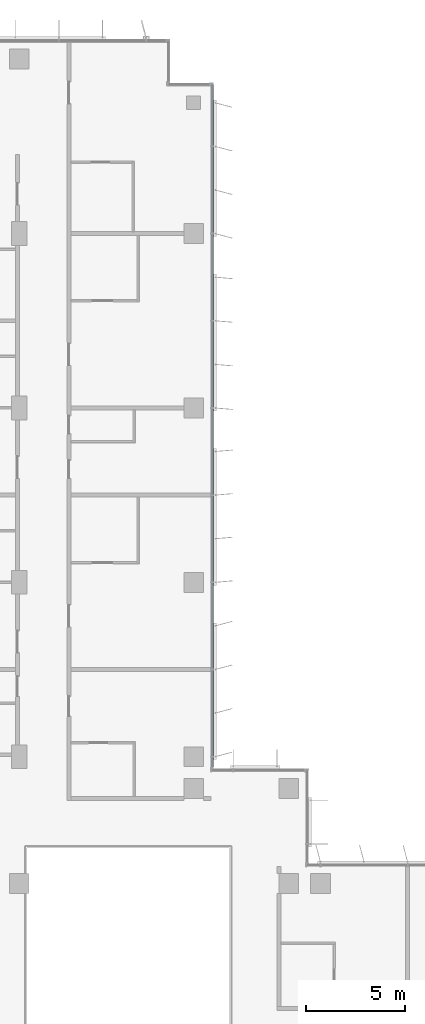
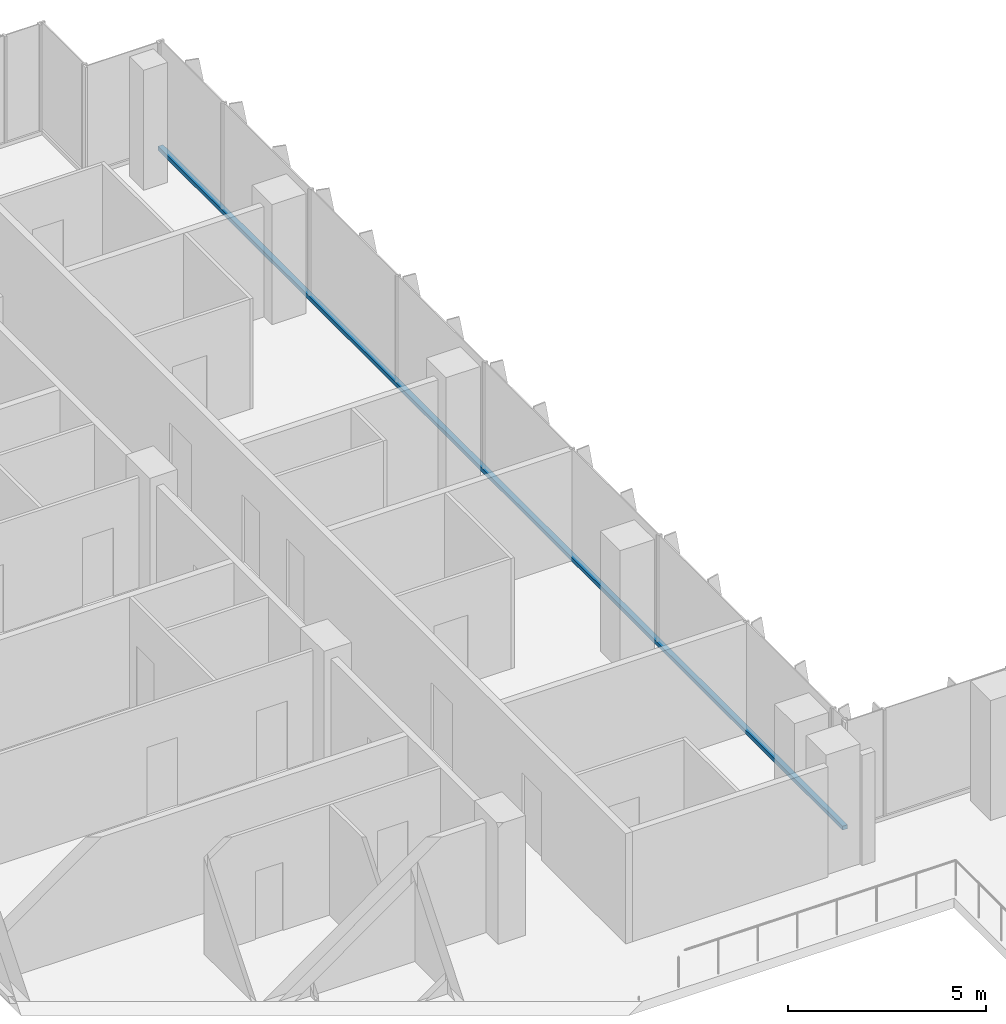
# One storey, part 6 of 21: 1 member, 1 element without a shape of its own.
"""IFC4 building model written with IfcOpenShell, lengths in metres."""

from ifc_helpers import new_model, si_unit, direction, frame, origin, origin_2d, place, context, subcontext, project, spatial, rectangle, extrude, material, material_profile, profile_set, type_object, element, aggregate, save


model = new_model("IFC4")

# Units and contexts
model_context = context("Model", 3, precision=1e-05, world=origin(), true_north=direction((0.0, 1.0)))
body_context = subcontext(model_context, "Body", "Model", "MODEL_VIEW")
ifc_project = project(units=[si_unit("LENGTHUNIT", "METRE"), si_unit("AREAUNIT", "SQUARE_METRE"), si_unit("VOLUMEUNIT", "CUBIC_METRE"), si_unit("PLANEANGLEUNIT", "RADIAN"), si_unit("MASSUNIT", "GRAM", prefix="KILO")], contexts=[model_context])

# Site, building, storey
site_placement = place(None, origin())
site = spatial("IfcSite", under=ifc_project, at=site_placement, CompositionType="ELEMENT")
building_placement = place(site_placement, origin())
building = spatial("IfcBuilding", under=site, at=building_placement, Name="Kemantara Hotel Tower", CompositionType="ELEMENT")
storey_placement = place(building_placement, frame((0.0, 0.0, 208.0)))
storey = spatial("IfcBuildingStorey", under=building, at=storey_placement, Name="L51", CompositionType="ELEMENT", Elevation=208.0)

# Curtain wall, member
ifc_material_1 = material(Name="Low-E tinted double insulated glass 36 mm", Category="glass")
curtain_wall_type = type_object("IfcCurtainWallType", Name="TOWER CURTAIN WALL, FRONT FACES", PredefinedType="USERDEFINED", material=ifc_material_1)
curtain_wall_placement = place(storey_placement, origin())
curtain_wall = element("IfcCurtainWall", 1, at=curtain_wall_placement, inside=storey, type_object=curtain_wall_type, Name="CW4 L51 T3-R17-1", ObjectType="TOWER CURTAIN WALL, FRONT FACES", PredefinedType="USERDEFINED")
ifc_material_2 = material(Name="Aluminium 6063-T6 bronze anodised", Category="aluminium")
ifc_material_profile = material_profile(ifc_material_2, rectangle(XDim=0.14990234375, YDim=0.1201171875, at=origin_2d()), Name="TOWER CURTAIN WALL, FRONT FACES TRANSOM")
ifc_profile_set = profile_set([ifc_material_profile], Name="Aluminium 6063-T6 bronze anodised")
member_type = type_object("IfcMemberType", Name="TOWER CURTAIN WALL, FRONT FACES TRANSOM", PredefinedType="USERDEFINED", material=ifc_profile_set)
member_placement = place(storey_placement, frame((21.925048828125, 26.800048828125, 0.06005859375), z_axis=(0.0, 1.0, 0.0), x_axis=(-1.0, 0.0, 0.0)))
member = element("IfcMember", 2, at=member_placement, type_object=member_type, Name="CW4 sill transom T3-R17-1", ObjectType="TRANSOM", PredefinedType="USERDEFINED", context=body_context, shape_type="SweptSolid", body=[
    extrude(rectangle(XDim=0.14990234375, YDim=0.1201171875, at=origin_2d()), origin(), (0.0, 0.0, 1.0), 34.599853515625),
])
aggregate(curtain_wall, [member])

save(model, "model.ifc")
